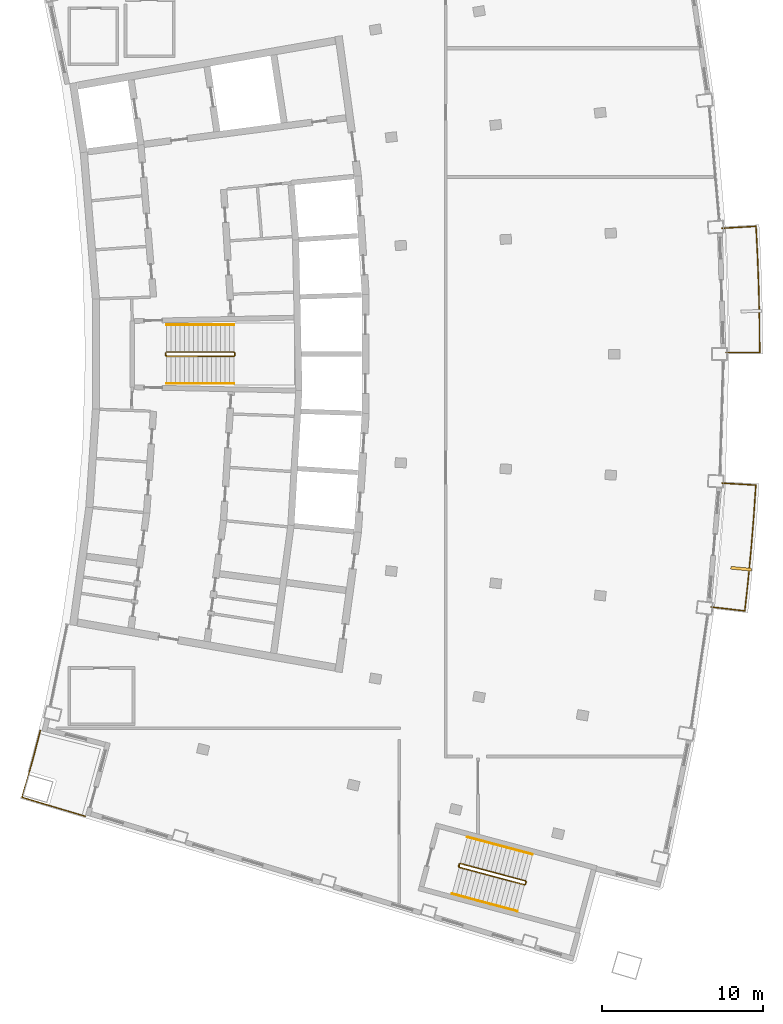
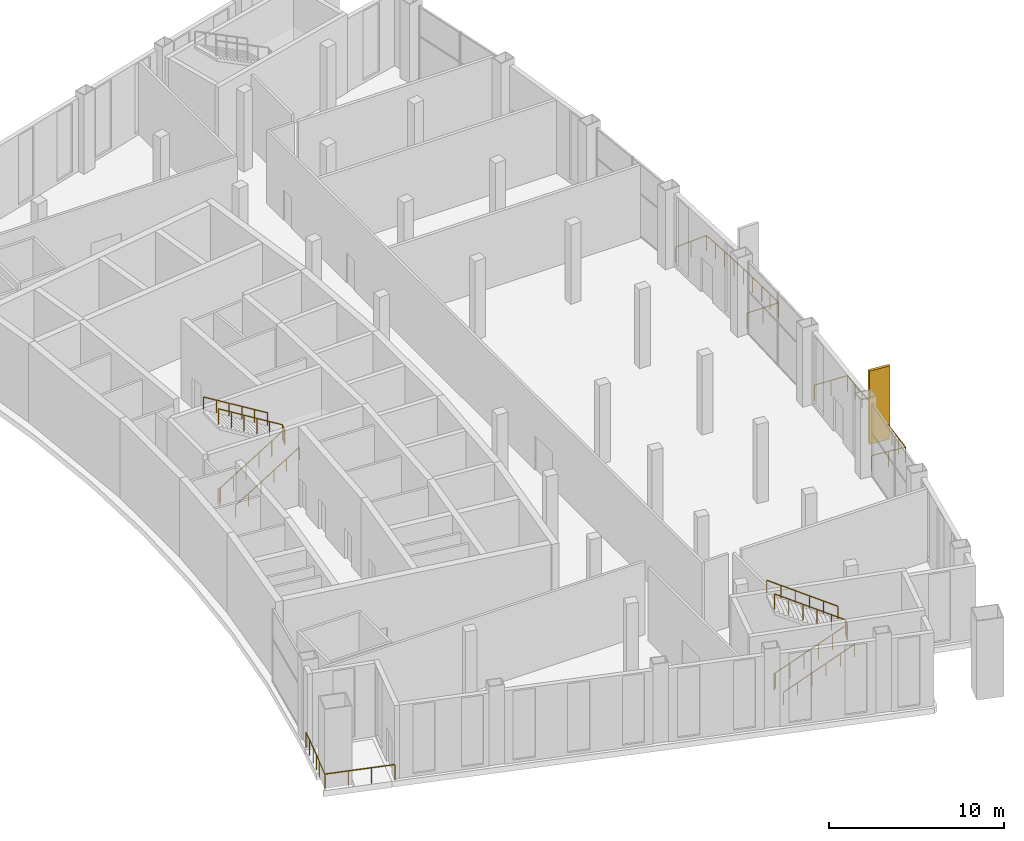
# One storey, part 12 of 13: 9 railings, 1 shading device.
"""IFC4 building model written with IfcOpenShell, lengths in metres."""

from ifc_helpers import new_model, si_unit, direction, frame, origin, origin_with_axes, origin_2d, place, context, subcontext, project, spatial, rectangle, extrude, material, layer, layer_set, type_object, element, save


model = new_model("IFC4")

# Units and contexts
model_context = context("Model", 3, precision=1e-05, world=origin(), true_north=direction((0.0, 1.0)))
body_context = subcontext(model_context, "Body", "Model", "MODEL_VIEW")
ifc_project = project(units=[si_unit("LENGTHUNIT", "METRE"), si_unit("AREAUNIT", "SQUARE_METRE"), si_unit("VOLUMEUNIT", "CUBIC_METRE"), si_unit("PLANEANGLEUNIT", "RADIAN"), si_unit("MASSUNIT", "GRAM", prefix="KILO")], contexts=[model_context])

# Site, building, storey
site_placement = place(None, origin())
site = spatial("IfcSite", under=ifc_project, at=site_placement, CompositionType="ELEMENT")
building_placement = place(site_placement, origin())
building = spatial("IfcBuilding", under=site, at=building_placement, Name="Alderwake Tower", CompositionType="ELEMENT")
storey_placement = place(building_placement, frame((0.0, 0.0, 304.5)))
storey = spatial("IfcBuildingStorey", under=building, at=storey_placement, Name="L74", CompositionType="ELEMENT", Elevation=304.5)

# Railings
ifc_material_1 = material(Name="Stainless steel 316 rail and posts", Category="steel")
railing_type_1 = type_object("IfcRailingType", Name="Balcony guard 1100", PredefinedType="GUARDRAIL", material=ifc_material_1)
railing_1_placement = place(storey_placement, frame((54.88818359375, 45.290283203125, 0.0)))
element("IfcRailing", 1, at=railing_1_placement, inside=storey, type_object=railing_type_1, Name="Guard BF05", PredefinedType="GUARDRAIL", context=body_context, shape_type="SweptSolid", body=[
    extrude(rectangle(XDim=0.048095703125, YDim=0.048095703125, at=origin_2d()), frame((0.0, 0.0, 1.076171875), z_axis=(0.993300554512, -0.115559544848, 0.0), x_axis=(0.115559544848, 0.993300554512, 0.0)), (0.0, 0.0, 1.0), 2.10009765625),
    extrude(rectangle(XDim=0.048095703125, YDim=0.048095703125, at=origin_2d()), frame((2.0859375, -0.24267578125, 1.076171875), z_axis=(0.108860741954, 0.994057009865, 0.0), x_axis=(-0.994057009865, 0.108860741954, 0.0)), (0.0, 0.0, 1.0), 1.910888671875),
    extrude(rectangle(XDim=0.048095703125, YDim=0.048095703125, at=origin_2d()), frame((2.2939453125, 1.65673828125, 1.076171875), z_axis=(0.094562763622, 0.995518901747, 0.0), x_axis=(-0.995518901747, 0.094562763622, 0.0)), (0.0, 0.0, 1.0), 2.01123046875),
    extrude(rectangle(XDim=0.048095703125, YDim=0.048095703125, at=origin_2d()), frame((2.484130859375, 3.658935546875, 1.076171875), z_axis=(0.080251890479, 0.996774615485, 0.0), x_axis=(-0.996774615485, 0.080251890479, 0.0)), (0.0, 0.0, 1.0), 2.010986328125),
    extrude(rectangle(XDim=0.048095703125, YDim=0.048095703125, at=origin_2d()), frame((2.6455078125, 5.663330078125, 1.076171875), z_axis=(0.065917008858, 0.997825108896, 0.0), x_axis=(-0.997825108896, 0.065917008858, 0.0)), (0.0, 0.0, 1.0), 1.9111328125),
    extrude(rectangle(XDim=0.048095703125, YDim=0.048095703125, at=origin_2d()), frame((2.771484375, 7.5703125, 1.076171875), z_axis=(-0.998254674771, 0.059055942097, 0.0), x_axis=(-0.059055942097, -0.998254674771, 0.0)), (0.0, 0.0, 1.0), 2.10009765625),
    extrude(rectangle(XDim=0.0419921875, YDim=0.0419921875, at=origin_2d()), frame((0.0, 0.0, 0.0), z_axis=(0.0, 0.0, 1.0), x_axis=(0.993300554512, -0.115559544848, 0.0)), (0.0, 0.0, 1.0), 1.052001953125),
    extrude(rectangle(XDim=0.0419921875, YDim=0.0419921875, at=origin_2d()), frame((1.04296875, -0.121337890625, 0.0), z_axis=(0.0, 0.0, 1.0), x_axis=(0.993300554512, -0.115559544848, 0.0)), (0.0, 0.0, 1.0), 1.052001953125),
    extrude(rectangle(XDim=0.0419921875, YDim=0.0419921875, at=origin_2d()), frame((2.0859375, -0.24267578125, 0.0), z_axis=(0.0, 0.0, 1.0), x_axis=(0.108860741954, 0.994057009865, 0.0)), (0.0, 0.0, 1.0), 1.052001953125),
    extrude(rectangle(XDim=0.0419921875, YDim=0.0419921875, at=origin_2d()), frame((2.18994140625, 0.70703125, 0.0), z_axis=(0.0, 0.0, 1.0), x_axis=(0.108860741954, 0.994057009865, 0.0)), (0.0, 0.0, 1.0), 1.052001953125),
    extrude(rectangle(XDim=0.0419921875, YDim=0.0419921875, at=origin_2d()), frame((2.2939453125, 1.65673828125, 0.0), z_axis=(0.0, 0.0, 1.0), x_axis=(0.094562763622, 0.995518901747, 0.0)), (0.0, 0.0, 1.0), 1.052001953125),
    extrude(rectangle(XDim=0.0419921875, YDim=0.0419921875, at=origin_2d()), frame((2.38916015625, 2.65771484375, 0.0), z_axis=(0.0, 0.0, 1.0), x_axis=(0.094562763622, 0.995518901747, 0.0)), (0.0, 0.0, 1.0), 1.052001953125),
    extrude(rectangle(XDim=0.0419921875, YDim=0.0419921875, at=origin_2d()), frame((2.484130859375, 3.658935546875, 0.0), z_axis=(0.0, 0.0, 1.0), x_axis=(0.080251890479, 0.996774615485, 0.0)), (0.0, 0.0, 1.0), 1.052001953125),
    extrude(rectangle(XDim=0.0419921875, YDim=0.0419921875, at=origin_2d()), frame((2.56494140625, 4.6611328125, 0.0), z_axis=(0.0, 0.0, 1.0), x_axis=(0.080251890479, 0.996774615485, 0.0)), (0.0, 0.0, 1.0), 1.052001953125),
    extrude(rectangle(XDim=0.0419921875, YDim=0.0419921875, at=origin_2d()), frame((2.6455078125, 5.663330078125, 0.0), z_axis=(0.0, 0.0, 1.0), x_axis=(0.065917008858, 0.997825108896, 0.0)), (0.0, 0.0, 1.0), 1.052001953125),
    extrude(rectangle(XDim=0.0419921875, YDim=0.0419921875, at=origin_2d()), frame((2.70849609375, 6.61669921875, 0.0), z_axis=(0.0, 0.0, 1.0), x_axis=(0.065917008858, 0.997825108896, 0.0)), (0.0, 0.0, 1.0), 1.052001953125),
    extrude(rectangle(XDim=0.0419921875, YDim=0.0419921875, at=origin_2d()), frame((2.771484375, 7.5703125, 0.0), z_axis=(0.0, 0.0, 1.0), x_axis=(-0.998254674771, 0.059055942097, 0.0)), (0.0, 0.0, 1.0), 1.052001953125),
    extrude(rectangle(XDim=0.0419921875, YDim=0.0419921875, at=origin_2d()), frame((1.72314453125, 7.63232421875, 0.0), z_axis=(0.0, 0.0, 1.0), x_axis=(-0.998254674771, 0.059055942097, 0.0)), (0.0, 0.0, 1.0), 1.052001953125),
    extrude(rectangle(XDim=0.0419921875, YDim=0.0419921875, at=origin_2d()), frame((0.675048828125, 7.6943359375, 0.0), z_axis=(0.0, 0.0, 1.0), x_axis=(-0.998254674771, 0.059055942097, 0.0)), (0.0, 0.0, 1.0), 1.052001953125),
])
railing_2_placement = place(storey_placement, frame((55.800048828125, 61.098388671875, 0.0)))
element("IfcRailing", 2, at=railing_2_placement, inside=storey, type_object=railing_type_1, Name="Guard BF07", PredefinedType="GUARDRAIL", context=body_context, shape_type="SweptSolid", body=[
    extrude(rectangle(XDim=0.048095703125, YDim=0.048095703125, at=origin_2d()), frame((0.0, 0.0, 1.076171875), z_axis=(0.999999668817, 0.000813858584, 0.0), x_axis=(-0.000813858584, 0.999999668817, 0.0)), (0.0, 0.0, 1.0), 2.099853515625),
    extrude(rectangle(XDim=0.048095703125, YDim=0.048095703125, at=origin_2d()), frame((2.099853515625, 0.001708984375, 1.076171875), z_axis=(-0.007665547101, 0.999970619262, 0.0), x_axis=(-0.999970619262, -0.007665547101, 0.0)), (0.0, 0.0, 1.0), 1.910888671875),
    extrude(rectangle(XDim=0.048095703125, YDim=0.048095703125, at=origin_2d()), frame((2.085205078125, 1.91259765625, 1.076171875), z_axis=(-0.02185270385, 0.999761201155, 0.0), x_axis=(-0.999761201155, -0.02185270385, 0.0)), (0.0, 0.0, 1.0), 2.010986328125),
    extrude(rectangle(XDim=0.048095703125, YDim=0.048095703125, at=origin_2d()), frame((2.041259765625, 3.923095703125, 1.076171875), z_axis=(-0.036418972637, 0.999336609172, 0.0), x_axis=(-0.999336609172, -0.036418972637, 0.0)), (0.0, 0.0, 1.0), 2.010986328125),
    extrude(rectangle(XDim=0.048095703125, YDim=0.048095703125, at=origin_2d()), frame((1.968017578125, 5.932861328125, 1.076171875), z_axis=(-0.050721376297, 0.998712842606, 0.0), x_axis=(-0.998712842606, -0.050721376297, 0.0)), (0.0, 0.0, 1.0), 1.910888671875),
    extrude(rectangle(XDim=0.048095703125, YDim=0.048095703125, at=origin_2d()), frame((1.87109375, 7.84130859375, 1.076171875), z_axis=(-0.998342640362, -0.057549738789, 0.0), x_axis=(0.057549738789, -0.998342640362, 0.0)), (0.0, 0.0, 1.0), 2.099853515625),
    extrude(rectangle(XDim=0.0419921875, YDim=0.0419921875, at=origin_2d()), frame((0.0, 0.0, 0.0), z_axis=(0.0, 0.0, 1.0), x_axis=(0.999999668817, 0.000813858584, 0.0)), (0.0, 0.0, 1.0), 1.052001953125),
    extrude(rectangle(XDim=0.0419921875, YDim=0.0419921875, at=origin_2d()), frame((1.0498046875, 0.0009765625, 0.0), z_axis=(0.0, 0.0, 1.0), x_axis=(0.999999668817, 0.000813858584, 0.0)), (0.0, 0.0, 1.0), 1.052001953125),
    extrude(rectangle(XDim=0.0419921875, YDim=0.0419921875, at=origin_2d()), frame((2.099853515625, 0.001708984375, 0.0), z_axis=(0.0, 0.0, 1.0), x_axis=(-0.007665547101, 0.999970619262, 0.0)), (0.0, 0.0, 1.0), 1.052001953125),
    extrude(rectangle(XDim=0.0419921875, YDim=0.0419921875, at=origin_2d()), frame((2.092529296875, 0.95703125, 0.0), z_axis=(0.0, 0.0, 1.0), x_axis=(-0.007665547101, 0.999970619262, 0.0)), (0.0, 0.0, 1.0), 1.052001953125),
    extrude(rectangle(XDim=0.0419921875, YDim=0.0419921875, at=origin_2d()), frame((2.085205078125, 1.91259765625, 0.0), z_axis=(0.0, 0.0, 1.0), x_axis=(-0.02185270385, 0.999761201155, 0.0)), (0.0, 0.0, 1.0), 1.052001953125),
    extrude(rectangle(XDim=0.0419921875, YDim=0.0419921875, at=origin_2d()), frame((2.063232421875, 2.91796875, 0.0), z_axis=(0.0, 0.0, 1.0), x_axis=(-0.02185270385, 0.999761201155, 0.0)), (0.0, 0.0, 1.0), 1.052001953125),
    extrude(rectangle(XDim=0.0419921875, YDim=0.0419921875, at=origin_2d()), frame((2.041259765625, 3.923095703125, 0.0), z_axis=(0.0, 0.0, 1.0), x_axis=(-0.036418972637, 0.999336609172, 0.0)), (0.0, 0.0, 1.0), 1.052001953125),
    extrude(rectangle(XDim=0.0419921875, YDim=0.0419921875, at=origin_2d()), frame((2.004638671875, 4.927978515625, 0.0), z_axis=(0.0, 0.0, 1.0), x_axis=(-0.036418972637, 0.999336609172, 0.0)), (0.0, 0.0, 1.0), 1.052001953125),
    extrude(rectangle(XDim=0.0419921875, YDim=0.0419921875, at=origin_2d()), frame((1.968017578125, 5.932861328125, 0.0), z_axis=(0.0, 0.0, 1.0), x_axis=(-0.050721376297, 0.998712842606, 0.0)), (0.0, 0.0, 1.0), 1.052001953125),
    extrude(rectangle(XDim=0.0419921875, YDim=0.0419921875, at=origin_2d()), frame((1.91943359375, 6.88720703125, 0.0), z_axis=(0.0, 0.0, 1.0), x_axis=(-0.050721376297, 0.998712842606, 0.0)), (0.0, 0.0, 1.0), 1.052001953125),
    extrude(rectangle(XDim=0.0419921875, YDim=0.0419921875, at=origin_2d()), frame((1.87109375, 7.84130859375, 0.0), z_axis=(0.0, 0.0, 1.0), x_axis=(-0.998342640362, -0.057549738789, 0.0)), (0.0, 0.0, 1.0), 1.052001953125),
    extrude(rectangle(XDim=0.0419921875, YDim=0.0419921875, at=origin_2d()), frame((0.82275390625, 7.78076171875, 0.0), z_axis=(0.0, 0.0, 1.0), x_axis=(-0.998342640362, -0.057549738789, 0.0)), (0.0, 0.0, 1.0), 1.052001953125),
    extrude(rectangle(XDim=0.0419921875, YDim=0.0419921875, at=origin_2d()), frame((-0.225341796875, 7.720458984375, 0.0), z_axis=(0.0, 0.0, 1.0), x_axis=(-0.998342640362, -0.057549738789, 0.0)), (0.0, 0.0, 1.0), 1.052001953125),
])
railing_3_placement = place(storey_placement, frame((13.210693359375, 37.612548828125, 0.0)))
element("IfcRailing", 3, at=railing_3_placement, inside=storey, type_object=railing_type_1, Name="Guard terrace RS", PredefinedType="GUARDRAIL", context=body_context, shape_type="SweptSolid", body=[
    extrude(rectangle(XDim=0.048095703125, YDim=0.048095703125, at=origin_2d()), frame((0.0, 0.0, 1.076171875), z_axis=(-0.251385381433, -0.967887075026, 0.0), x_axis=(0.967887075026, -0.251385381433, 0.0)), (0.0, 0.0, 1.0), 1.6015625),
    extrude(rectangle(XDim=0.048095703125, YDim=0.048095703125, at=origin_2d()), frame((-0.402587890625, -1.550048828125, 1.076171875), z_axis=(-0.266520638672, -0.963829211615, 0.0), x_axis=(0.963829211615, -0.266520638672, 0.0)), (0.0, 0.0, 1.0), 1.401611328125),
    extrude(rectangle(XDim=0.048095703125, YDim=0.048095703125, at=origin_2d()), frame((-0.776123046875, -2.90087890625, 1.076171875), z_axis=(-0.280093650878, -0.959972680204, 0.0), x_axis=(0.959972680204, -0.280093650878, 0.0)), (0.0, 0.0, 1.0), 1.30126953125),
    extrude(rectangle(XDim=0.048095703125, YDim=0.048095703125, at=origin_2d()), frame((-1.140625, -4.150146484375, 1.076171875), z_axis=(0.958066871889, -0.286544706789, 0.0), x_axis=(0.286544706789, 0.958066871889, 0.0)), (0.0, 0.0, 1.0), 4.099853515625),
    extrude(rectangle(XDim=0.0419921875, YDim=0.0419921875, at=origin_2d()), frame((0.0, 0.0, 0.0), z_axis=(0.0, 0.0, 1.0), x_axis=(-0.251385381433, -0.967887075026, 0.0)), (0.0, 0.0, 1.0), 1.052001953125),
    extrude(rectangle(XDim=0.0419921875, YDim=0.0419921875, at=origin_2d()), frame((-0.201171875, -0.77490234375, 0.0), z_axis=(0.0, 0.0, 1.0), x_axis=(-0.251385381433, -0.967887075026, 0.0)), (0.0, 0.0, 1.0), 1.052001953125),
    extrude(rectangle(XDim=0.0419921875, YDim=0.0419921875, at=origin_2d()), frame((-0.402587890625, -1.550048828125, 0.0), z_axis=(0.0, 0.0, 1.0), x_axis=(-0.266520638672, -0.963829211615, 0.0)), (0.0, 0.0, 1.0), 1.052001953125),
    extrude(rectangle(XDim=0.0419921875, YDim=0.0419921875, at=origin_2d()), frame((-0.58935546875, -2.2255859375, 0.0), z_axis=(0.0, 0.0, 1.0), x_axis=(-0.266520638672, -0.963829211615, 0.0)), (0.0, 0.0, 1.0), 1.052001953125),
    extrude(rectangle(XDim=0.0419921875, YDim=0.0419921875, at=origin_2d()), frame((-0.776123046875, -2.90087890625, 0.0), z_axis=(0.0, 0.0, 1.0), x_axis=(-0.280093650878, -0.959972680204, 0.0)), (0.0, 0.0, 1.0), 1.052001953125),
    extrude(rectangle(XDim=0.0419921875, YDim=0.0419921875, at=origin_2d()), frame((-1.140625, -4.150146484375, 0.0), z_axis=(0.0, 0.0, 1.0), x_axis=(0.958066871889, -0.286544706789, 0.0)), (0.0, 0.0, 1.0), 1.052001953125),
    extrude(rectangle(XDim=0.0419921875, YDim=0.0419921875, at=origin_2d()), frame((0.168701171875, -4.541748046875, 0.0), z_axis=(0.0, 0.0, 1.0), x_axis=(0.958066871889, -0.286544706789, 0.0)), (0.0, 0.0, 1.0), 1.052001953125),
    extrude(rectangle(XDim=0.0419921875, YDim=0.0419921875, at=origin_2d()), frame((1.47802734375, -4.933349609375, 0.0), z_axis=(0.0, 0.0, 1.0), x_axis=(0.958066871889, -0.286544706789, 0.0)), (0.0, 0.0, 1.0), 1.052001953125),
    extrude(rectangle(XDim=0.0419921875, YDim=0.0419921875, at=origin_2d()), frame((2.787353515625, -5.324951171875, 0.0), z_axis=(0.0, 0.0, 1.0), x_axis=(0.958066871889, -0.286544706789, 0.0)), (0.0, 0.0, 1.0), 1.052001953125),
])

# Shading device
ifc_material_2 = material(Name="Bronze anodised aluminium", Category="aluminium")
ifc_layer = layer(ifc_material_2, 0.179931640625)
ifc_layer_set = layer_set([ifc_layer], Name="Facade fin 1300")
shading_device_type = type_object("IfcShadingDeviceType", Name="Facade fin 1300", PredefinedType="USERDEFINED", material=ifc_layer_set)
shading_device_placement = place(storey_placement, frame((56.75146484375, 47.665771484375, 0.0), z_axis=(0.0, 0.0, 1.0), x_axis=(0.995279882363, -0.097046152751, 0.0)))
element("IfcShadingDevice", 4, at=shading_device_placement, inside=storey, type_object=shading_device_type, Name="Fin", ObjectType="FIN", PredefinedType="USERDEFINED", context=body_context, shape_type="SweptSolid", body=[
    extrude(rectangle(XDim=1.300048828125, YDim=0.179931640625, at=origin_2d()), origin(), (0.0, 0.0, 1.0), 5.10009765625),
])

# Railings
ifc_material_3 = material(Name="Stainless steel guard", Category="steel")
railing_type_2 = type_object("IfcRailingType", Name="Stair guard 1100", PredefinedType="GUARDRAIL", material=ifc_material_3)
railing_4_placement = place(storey_placement, frame((20.989990234375, 60.925048828125, 0.0)))
element("IfcRailing", 5, at=railing_4_placement, inside=storey, type_object=railing_type_2, Name="L74 ST-B stair guard 1", PredefinedType="GUARDRAIL", context=body_context, shape_type="SweptSolid", body=[
    extrude(rectangle(XDim=0.048095703125, YDim=0.048095703125, at=origin_2d()), frame((0.0, 0.0, 1.076171875), z_axis=(0.0, 1.0, 0.0), x_axis=(-1.0, 0.0, 0.0)), (0.0, 0.0, 1.0), 0.14990234375),
    extrude(rectangle(XDim=0.048095703125, YDim=0.048095703125, at=origin_2d()), frame((0.0, 0.14990234375, 1.076171875), z_axis=(0.186486819998, -0.745037588186, 0.640423030626), x_axis=(0.970072785993, 0.242814311512, 0.0)), (0.0, 0.0, 1.0), 0.268310546875),
    extrude(rectangle(XDim=0.048095703125, YDim=0.048095703125, at=origin_2d()), frame((0.050048828125, -0.050048828125, 1.248046875), z_axis=(0.852242915053, 0.0, 0.523146264196), x_axis=(0.0, 1.0, 0.0)), (0.0, 0.0, 1.0), 4.92822265625),
    extrude(rectangle(XDim=0.048095703125, YDim=0.048095703125, at=origin_2d()), frame((4.25, -0.050048828125, 3.826171875), z_axis=(0.707106781187, 0.707106781187, 0.0), x_axis=(-0.707106781187, 0.707106781187, 0.0)), (0.0, 0.0, 1.0), 0.07080078125),
    extrude(rectangle(XDim=0.048095703125, YDim=0.048095703125, at=origin_2d()), frame((4.300048828125, 0.0, 3.826171875), z_axis=(0.0, 1.0, 0.0), x_axis=(-1.0, 0.0, 0.0)), (0.0, 0.0, 1.0), 0.14990234375),
    extrude(rectangle(XDim=0.048095703125, YDim=0.048095703125, at=origin_2d()), frame((4.300048828125, 0.14990234375, 3.826171875), z_axis=(-0.269255725606, 0.269255725606, 0.92466356501), x_axis=(-0.707106781187, -0.707106781187, 0.0)), (0.0, 0.0, 1.0), 0.185791015625),
    extrude(rectangle(XDim=0.048095703125, YDim=0.048095703125, at=origin_2d()), frame((4.25, 0.199951171875, 3.998046875), z_axis=(-0.852242915053, 0.0, 0.523146264196), x_axis=(0.0, -1.0, 0.0)), (0.0, 0.0, 1.0), 4.92822265625),
    extrude(rectangle(XDim=0.0419921875, YDim=0.0419921875, at=origin_2d()), frame((0.0, 0.0, 0.0), z_axis=(0.0, 0.0, 1.0), x_axis=(0.0, 1.0, 0.0)), (0.0, 0.0, 1.0), 1.052001953125),
    extrude(rectangle(XDim=0.0419921875, YDim=0.0419921875, at=origin_2d()), frame((0.0, 0.14990234375, 0.0), z_axis=(0.0, 0.0, 1.0), x_axis=(0.242814311512, -0.970072785993, 0.0)), (0.0, 0.0, 1.0), 1.052001953125),
    extrude(rectangle(XDim=0.0419921875, YDim=0.0419921875, at=origin_2d()), frame((0.050048828125, -0.050048828125, 0.171875), z_axis=(0.0, 0.0, 1.0), x_axis=(1.0, 0.0, 0.0)), (0.0, 0.0, 1.0), 1.052001953125),
    extrude(rectangle(XDim=0.0419921875, YDim=0.0419921875, at=origin_2d()), frame((0.89013671875, -0.050048828125, 0.6875), z_axis=(0.0, 0.0, 1.0), x_axis=(1.0, 0.0, 0.0)), (0.0, 0.0, 1.0), 1.052001953125),
    extrude(rectangle(XDim=0.0419921875, YDim=0.0419921875, at=origin_2d()), frame((1.72998046875, -0.050048828125, 1.203125), z_axis=(0.0, 0.0, 1.0), x_axis=(1.0, 0.0, 0.0)), (0.0, 0.0, 1.0), 1.052001953125),
    extrude(rectangle(XDim=0.0419921875, YDim=0.0419921875, at=origin_2d()), frame((2.570068359375, -0.050048828125, 1.71875), z_axis=(0.0, 0.0, 1.0), x_axis=(1.0, 0.0, 0.0)), (0.0, 0.0, 1.0), 1.052001953125),
    extrude(rectangle(XDim=0.0419921875, YDim=0.0419921875, at=origin_2d()), frame((3.409912109375, -0.050048828125, 2.234375), z_axis=(0.0, 0.0, 1.0), x_axis=(1.0, 0.0, 0.0)), (0.0, 0.0, 1.0), 1.052001953125),
    extrude(rectangle(XDim=0.0419921875, YDim=0.0419921875, at=origin_2d()), frame((4.25, -0.050048828125, 2.75), z_axis=(0.0, 0.0, 1.0), x_axis=(0.707106781187, 0.707106781187, 0.0)), (0.0, 0.0, 1.0), 1.052001953125),
    extrude(rectangle(XDim=0.0419921875, YDim=0.0419921875, at=origin_2d()), frame((4.300048828125, 0.0, 2.75), z_axis=(0.0, 0.0, 1.0), x_axis=(0.0, 1.0, 0.0)), (0.0, 0.0, 1.0), 1.052001953125),
    extrude(rectangle(XDim=0.0419921875, YDim=0.0419921875, at=origin_2d()), frame((4.300048828125, 0.14990234375, 2.75), z_axis=(0.0, 0.0, 1.0), x_axis=(-0.707106781187, 0.707106781187, 0.0)), (0.0, 0.0, 1.0), 1.052001953125),
    extrude(rectangle(XDim=0.0419921875, YDim=0.0419921875, at=origin_2d()), frame((4.25, 0.199951171875, 2.921875), z_axis=(0.0, 0.0, 1.0), x_axis=(-1.0, 0.0, 0.0)), (0.0, 0.0, 1.0), 1.052001953125),
    extrude(rectangle(XDim=0.0419921875, YDim=0.0419921875, at=origin_2d()), frame((3.409912109375, 0.199951171875, 3.4375), z_axis=(0.0, 0.0, 1.0), x_axis=(-1.0, 0.0, 0.0)), (0.0, 0.0, 1.0), 1.052001953125),
    extrude(rectangle(XDim=0.0419921875, YDim=0.0419921875, at=origin_2d()), frame((2.570068359375, 0.199951171875, 3.953125), z_axis=(0.0, 0.0, 1.0), x_axis=(-1.0, 0.0, 0.0)), (0.0, 0.0, 1.0), 1.052001953125),
    extrude(rectangle(XDim=0.0419921875, YDim=0.0419921875, at=origin_2d()), frame((1.72998046875, 0.199951171875, 4.46875), z_axis=(0.0, 0.0, 1.0), x_axis=(-1.0, 0.0, 0.0)), (0.0, 0.0, 1.0), 1.052001953125),
    extrude(rectangle(XDim=0.0419921875, YDim=0.0419921875, at=origin_2d()), frame((0.89013671875, 0.199951171875, 4.984375), z_axis=(0.0, 0.0, 1.0), x_axis=(-1.0, 0.0, 0.0)), (0.0, 0.0, 1.0), 1.052001953125),
    extrude(rectangle(XDim=0.0419921875, YDim=0.0419921875, at=origin_2d()), frame((0.050048828125, 0.199951171875, 5.5), z_axis=(0.0, 0.0, 1.0), x_axis=(-1.0, 0.0, 0.0)), (0.0, 0.0, 1.0), 1.052001953125),
])
railing_5_placement = place(storey_placement, frame((39.1943359375, 29.17431640625, 0.0)))
element("IfcRailing", 6, at=railing_5_placement, inside=storey, type_object=railing_type_2, Name="L74 ST-C stair guard 1", PredefinedType="GUARDRAIL", context=body_context, shape_type="SweptSolid", body=[
    extrude(rectangle(XDim=0.048095703125, YDim=0.048095703125, at=origin_2d()), frame((0.0, 0.0, 1.076171875), z_axis=(0.257459803502, 0.966289009345, 0.0), x_axis=(-0.966289009345, 0.257459803502, 0.0)), (0.0, 0.0, 1.0), 0.14990234375),
    extrude(rectangle(XDim=0.048095703125, YDim=0.048095703125, at=origin_2d()), frame((0.03857421875, 0.144775390625, 1.076171875), z_axis=(-0.011827368703, -0.767869168075, 0.640497505124), x_axis=(0.999881397308, -0.015401016783, 0.0)), (0.0, 0.0, 1.0), 0.268310546875),
    extrude(rectangle(XDim=0.048095703125, YDim=0.048095703125, at=origin_2d()), frame((0.035400390625, -0.061279296875, 1.248046875), z_axis=(0.823537466516, -0.219358993126, 0.523132558133), x_axis=(0.257387681119, 0.966308222881, 0.0)), (0.0, 0.0, 1.0), 4.92822265625),
    extrude(rectangle(XDim=0.048095703125, YDim=0.048095703125, at=origin_2d()), frame((4.093994140625, -1.142333984375, 3.826171875), z_axis=(0.865031189262, 0.501718089772, 0.0), x_axis=(-0.501718089772, 0.865031189262, 0.0)), (0.0, 0.0, 1.0), 0.070556640625),
    extrude(rectangle(XDim=0.048095703125, YDim=0.048095703125, at=origin_2d()), frame((4.155029296875, -1.10693359375, 3.826171875), z_axis=(0.258573505099, 0.965991585088, 0.0), x_axis=(-0.965991585088, 0.258573505099, 0.0)), (0.0, 0.0, 1.0), 0.150146484375),
    extrude(rectangle(XDim=0.048095703125, YDim=0.048095703125, at=origin_2d()), frame((4.19384765625, -0.9619140625, 3.826171875), z_axis=(-0.191718465689, 0.329598184164, 0.924450683871), x_axis=(-0.864402767194, -0.502800015978, 0.0)), (0.0, 0.0, 1.0), 0.18603515625),
    extrude(rectangle(XDim=0.048095703125, YDim=0.048095703125, at=origin_2d()), frame((4.158203125, -0.900634765625, 3.998046875), z_axis=(-0.82352152456, 0.219367942655, 0.523153901182), x_axis=(-0.257402139082, -0.966304371715, 0.0)), (0.0, 0.0, 1.0), 4.927978515625),
    extrude(rectangle(XDim=0.0419921875, YDim=0.0419921875, at=origin_2d()), frame((0.0, 0.0, 0.0), z_axis=(0.0, 0.0, 1.0), x_axis=(0.257459803502, 0.966289009345, 0.0)), (0.0, 0.0, 1.0), 1.052001953125),
    extrude(rectangle(XDim=0.0419921875, YDim=0.0419921875, at=origin_2d()), frame((0.03857421875, 0.144775390625, 0.0), z_axis=(0.0, 0.0, 1.0), x_axis=(-0.015401016783, -0.999881397308, 0.0)), (0.0, 0.0, 1.0), 1.052001953125),
    extrude(rectangle(XDim=0.0419921875, YDim=0.0419921875, at=origin_2d()), frame((0.035400390625, -0.061279296875, 0.171875), z_axis=(0.0, 0.0, 1.0), x_axis=(0.966308222881, -0.257387681119, 0.0)), (0.0, 0.0, 1.0), 1.052001953125),
    extrude(rectangle(XDim=0.0419921875, YDim=0.0419921875, at=origin_2d()), frame((0.84716796875, -0.277587890625, 0.6875), z_axis=(0.0, 0.0, 1.0), x_axis=(0.966308222881, -0.257387681119, 0.0)), (0.0, 0.0, 1.0), 1.052001953125),
    extrude(rectangle(XDim=0.0419921875, YDim=0.0419921875, at=origin_2d()), frame((1.658935546875, -0.49365234375, 1.203125), z_axis=(0.0, 0.0, 1.0), x_axis=(0.966308222881, -0.257387681119, 0.0)), (0.0, 0.0, 1.0), 1.052001953125),
    extrude(rectangle(XDim=0.0419921875, YDim=0.0419921875, at=origin_2d()), frame((2.470458984375, -0.7099609375, 1.71875), z_axis=(0.0, 0.0, 1.0), x_axis=(0.966308222881, -0.257387681119, 0.0)), (0.0, 0.0, 1.0), 1.052001953125),
    extrude(rectangle(XDim=0.0419921875, YDim=0.0419921875, at=origin_2d()), frame((3.2822265625, -0.926025390625, 2.234375), z_axis=(0.0, 0.0, 1.0), x_axis=(0.966308222881, -0.257387681119, 0.0)), (0.0, 0.0, 1.0), 1.052001953125),
    extrude(rectangle(XDim=0.0419921875, YDim=0.0419921875, at=origin_2d()), frame((4.093994140625, -1.142333984375, 2.75), z_axis=(0.0, 0.0, 1.0), x_axis=(0.865031189262, 0.501718089772, 0.0)), (0.0, 0.0, 1.0), 1.052001953125),
    extrude(rectangle(XDim=0.0419921875, YDim=0.0419921875, at=origin_2d()), frame((4.155029296875, -1.10693359375, 2.75), z_axis=(0.0, 0.0, 1.0), x_axis=(0.258573505099, 0.965991585088, 0.0)), (0.0, 0.0, 1.0), 1.052001953125),
    extrude(rectangle(XDim=0.0419921875, YDim=0.0419921875, at=origin_2d()), frame((4.19384765625, -0.9619140625, 2.75), z_axis=(0.0, 0.0, 1.0), x_axis=(-0.502800015978, 0.864402767194, 0.0)), (0.0, 0.0, 1.0), 1.052001953125),
    extrude(rectangle(XDim=0.0419921875, YDim=0.0419921875, at=origin_2d()), frame((4.158203125, -0.900634765625, 2.921875), z_axis=(0.0, 0.0, 1.0), x_axis=(-0.966304371715, 0.257402139082, 0.0)), (0.0, 0.0, 1.0), 1.052001953125),
    extrude(rectangle(XDim=0.0419921875, YDim=0.0419921875, at=origin_2d()), frame((3.346435546875, -0.684326171875, 3.4375), z_axis=(0.0, 0.0, 1.0), x_axis=(-0.966304371715, 0.257402139082, 0.0)), (0.0, 0.0, 1.0), 1.052001953125),
    extrude(rectangle(XDim=0.0419921875, YDim=0.0419921875, at=origin_2d()), frame((2.534912109375, -0.46826171875, 3.953125), z_axis=(0.0, 0.0, 1.0), x_axis=(-0.966304371715, 0.257402139082, 0.0)), (0.0, 0.0, 1.0), 1.052001953125),
    extrude(rectangle(XDim=0.0419921875, YDim=0.0419921875, at=origin_2d()), frame((1.72314453125, -0.251953125, 4.46875), z_axis=(0.0, 0.0, 1.0), x_axis=(-0.966304371715, 0.257402139082, 0.0)), (0.0, 0.0, 1.0), 1.052001953125),
    extrude(rectangle(XDim=0.0419921875, YDim=0.0419921875, at=origin_2d()), frame((0.91162109375, -0.035888671875, 4.984375), z_axis=(0.0, 0.0, 1.0), x_axis=(-0.966304371715, 0.257402139082, 0.0)), (0.0, 0.0, 1.0), 1.052001953125),
    extrude(rectangle(XDim=0.0419921875, YDim=0.0419921875, at=origin_2d()), frame((0.099853515625, 0.180419921875, 5.5), z_axis=(0.0, 0.0, 1.0), x_axis=(-0.966304371715, 0.257402139082, 0.0)), (0.0, 0.0, 1.0), 1.052001953125),
])
ifc_material_4 = material(Name="Stainless steel handrail", Category="steel")
railing_type_3 = type_object("IfcRailingType", Name="Stair handrail 900", PredefinedType="HANDRAIL", material=ifc_material_4)
railing_6_placement = place(storey_placement, frame((21.0400390625, 59.175048828125, 0.171875)))
element("IfcRailing", 7, at=railing_6_placement, inside=storey, type_object=railing_type_3, Name="L74 ST-B stair handrail 1", PredefinedType="HANDRAIL", context=body_context, shape_type="SweptSolid", body=[
    extrude(rectangle(XDim=0.048095703125, YDim=0.048095703125, at=origin_2d()), frame((0.0, 0.0, 0.8759765625), z_axis=(0.852242915053, 0.0, 0.523146264196), x_axis=(0.0, 1.0, 0.0)), (0.0, 0.0, 1.0), 4.92822265625),
    extrude(rectangle(XDim=0.0419921875, YDim=0.0419921875, at=origin_2d()), origin_with_axes(), (0.0, 0.0, 1.0), 0.851806640625),
    extrude(rectangle(XDim=0.0419921875, YDim=0.0419921875, at=origin_2d()), frame((0.840087890625, 0.0, 0.515625), z_axis=(0.0, 0.0, 1.0), x_axis=(1.0, 0.0, 0.0)), (0.0, 0.0, 1.0), 0.851806640625),
    extrude(rectangle(XDim=0.0419921875, YDim=0.0419921875, at=origin_2d()), frame((1.679931640625, 0.0, 1.03125), z_axis=(0.0, 0.0, 1.0), x_axis=(1.0, 0.0, 0.0)), (0.0, 0.0, 1.0), 0.851806640625),
    extrude(rectangle(XDim=0.0419921875, YDim=0.0419921875, at=origin_2d()), frame((2.52001953125, 0.0, 1.546875), z_axis=(0.0, 0.0, 1.0), x_axis=(1.0, 0.0, 0.0)), (0.0, 0.0, 1.0), 0.851806640625),
    extrude(rectangle(XDim=0.0419921875, YDim=0.0419921875, at=origin_2d()), frame((3.35986328125, 0.0, 2.0625), z_axis=(0.0, 0.0, 1.0), x_axis=(1.0, 0.0, 0.0)), (0.0, 0.0, 1.0), 0.851806640625),
    extrude(rectangle(XDim=0.0419921875, YDim=0.0419921875, at=origin_2d()), frame((4.199951171875, 0.0, 2.578125), z_axis=(0.0, 0.0, 1.0), x_axis=(1.0, 0.0, 0.0)), (0.0, 0.0, 1.0), 0.851806640625),
])
railing_7_placement = place(storey_placement, frame((25.239990234375, 62.824951171875, 2.921875)))
element("IfcRailing", 8, at=railing_7_placement, inside=storey, type_object=railing_type_3, Name="L74 ST-B stair handrail 2", PredefinedType="HANDRAIL", context=body_context, shape_type="SweptSolid", body=[
    extrude(rectangle(XDim=0.048095703125, YDim=0.048095703125, at=origin_2d()), frame((0.0, 0.0, 0.8759765625), z_axis=(-0.852242915053, 0.0, 0.523146264196), x_axis=(0.0, -1.0, 0.0)), (0.0, 0.0, 1.0), 4.92822265625),
    extrude(rectangle(XDim=0.0419921875, YDim=0.0419921875, at=origin_2d()), frame((0.0, 0.0, 0.0), z_axis=(0.0, 0.0, 1.0), x_axis=(-1.0, 0.0, 0.0)), (0.0, 0.0, 1.0), 0.851806640625),
    extrude(rectangle(XDim=0.0419921875, YDim=0.0419921875, at=origin_2d()), frame((-0.840087890625, 0.0, 0.515625), z_axis=(0.0, 0.0, 1.0), x_axis=(-1.0, 0.0, 0.0)), (0.0, 0.0, 1.0), 0.851806640625),
    extrude(rectangle(XDim=0.0419921875, YDim=0.0419921875, at=origin_2d()), frame((-1.679931640625, 0.0, 1.03125), z_axis=(0.0, 0.0, 1.0), x_axis=(-1.0, 0.0, 0.0)), (0.0, 0.0, 1.0), 0.851806640625),
    extrude(rectangle(XDim=0.0419921875, YDim=0.0419921875, at=origin_2d()), frame((-2.52001953125, 0.0, 1.546875), z_axis=(0.0, 0.0, 1.0), x_axis=(-1.0, 0.0, 0.0)), (0.0, 0.0, 1.0), 0.851806640625),
    extrude(rectangle(XDim=0.0419921875, YDim=0.0419921875, at=origin_2d()), frame((-3.35986328125, 0.0, 2.0625), z_axis=(0.0, 0.0, 1.0), x_axis=(-1.0, 0.0, 0.0)), (0.0, 0.0, 1.0), 0.851806640625),
    extrude(rectangle(XDim=0.0419921875, YDim=0.0419921875, at=origin_2d()), frame((-4.199951171875, 0.0, 2.578125), z_axis=(0.0, 0.0, 1.0), x_axis=(-1.0, 0.0, 0.0)), (0.0, 0.0, 1.0), 0.851806640625),
])
railing_8_placement = place(storey_placement, frame((38.792236328125, 27.47021484375, 0.171875)))
element("IfcRailing", 9, at=railing_8_placement, inside=storey, type_object=railing_type_3, Name="L74 ST-C stair handrail 1", PredefinedType="HANDRAIL", context=body_context, shape_type="SweptSolid", body=[
    extrude(rectangle(XDim=0.048095703125, YDim=0.048095703125, at=origin_2d()), frame((0.0, 0.0, 0.8759765625), z_axis=(0.823546414901, -0.219311837029, 0.523138242382), x_axis=(0.257333403443, 0.966322678753, 0.0)), (0.0, 0.0, 1.0), 4.92822265625),
    extrude(rectangle(XDim=0.0419921875, YDim=0.0419921875, at=origin_2d()), frame((0.0, 0.0, 0.0), z_axis=(0.0, 0.0, 1.0), x_axis=(0.966322678753, -0.257333403443, 0.0)), (0.0, 0.0, 1.0), 0.851806640625),
    extrude(rectangle(XDim=0.0419921875, YDim=0.0419921875, at=origin_2d()), frame((0.811767578125, -0.216064453125, 0.515625), z_axis=(0.0, 0.0, 1.0), x_axis=(0.966322678753, -0.257333403443, 0.0)), (0.0, 0.0, 1.0), 0.851806640625),
    extrude(rectangle(XDim=0.0419921875, YDim=0.0419921875, at=origin_2d()), frame((1.62353515625, -0.432373046875, 1.03125), z_axis=(0.0, 0.0, 1.0), x_axis=(0.966322678753, -0.257333403443, 0.0)), (0.0, 0.0, 1.0), 0.851806640625),
    extrude(rectangle(XDim=0.0419921875, YDim=0.0419921875, at=origin_2d()), frame((2.43505859375, -0.6484375, 1.546875), z_axis=(0.0, 0.0, 1.0), x_axis=(0.966322678753, -0.257333403443, 0.0)), (0.0, 0.0, 1.0), 0.851806640625),
    extrude(rectangle(XDim=0.0419921875, YDim=0.0419921875, at=origin_2d()), frame((3.246826171875, -0.86474609375, 2.0625), z_axis=(0.0, 0.0, 1.0), x_axis=(0.966322678753, -0.257333403443, 0.0)), (0.0, 0.0, 1.0), 0.851806640625),
    extrude(rectangle(XDim=0.0419921875, YDim=0.0419921875, at=origin_2d()), frame((4.05859375, -1.080810546875, 2.578125), z_axis=(0.0, 0.0, 1.0), x_axis=(0.966322678753, -0.257333403443, 0.0)), (0.0, 0.0, 1.0), 0.851806640625),
])
railing_9_placement = place(storey_placement, frame((43.790283203125, 29.916259765625, 2.921875)))
element("IfcRailing", 10, at=railing_9_placement, inside=storey, type_object=railing_type_3, Name="L74 ST-C stair handrail 2", PredefinedType="HANDRAIL", context=body_context, shape_type="SweptSolid", body=[
    extrude(rectangle(XDim=0.048095703125, YDim=0.048095703125, at=origin_2d()), frame((0.0, 0.0, 0.8759765625), z_axis=(-0.823537466516, 0.219358993126, 0.523132558133), x_axis=(-0.257387681119, -0.966308222881, 0.0)), (0.0, 0.0, 1.0), 4.92822265625),
    extrude(rectangle(XDim=0.0419921875, YDim=0.0419921875, at=origin_2d()), frame((0.0, 0.0, 0.0), z_axis=(0.0, 0.0, 1.0), x_axis=(-0.966308222881, 0.257387681119, 0.0)), (0.0, 0.0, 1.0), 0.851806640625),
    extrude(rectangle(XDim=0.0419921875, YDim=0.0419921875, at=origin_2d()), frame((-0.811767578125, 0.21630859375, 0.515625), z_axis=(0.0, 0.0, 1.0), x_axis=(-0.966308222881, 0.257387681119, 0.0)), (0.0, 0.0, 1.0), 0.851806640625),
    extrude(rectangle(XDim=0.0419921875, YDim=0.0419921875, at=origin_2d()), frame((-1.62353515625, 0.432373046875, 1.03125), z_axis=(0.0, 0.0, 1.0), x_axis=(-0.966308222881, 0.257387681119, 0.0)), (0.0, 0.0, 1.0), 0.851806640625),
    extrude(rectangle(XDim=0.0419921875, YDim=0.0419921875, at=origin_2d()), frame((-2.43505859375, 0.648681640625, 1.546875), z_axis=(0.0, 0.0, 1.0), x_axis=(-0.966308222881, 0.257387681119, 0.0)), (0.0, 0.0, 1.0), 0.851806640625),
    extrude(rectangle(XDim=0.0419921875, YDim=0.0419921875, at=origin_2d()), frame((-3.246826171875, 0.86474609375, 2.0625), z_axis=(0.0, 0.0, 1.0), x_axis=(-0.966308222881, 0.257387681119, 0.0)), (0.0, 0.0, 1.0), 0.851806640625),
    extrude(rectangle(XDim=0.0419921875, YDim=0.0419921875, at=origin_2d()), frame((-4.05859375, 1.0810546875, 2.578125), z_axis=(0.0, 0.0, 1.0), x_axis=(-0.966308222881, 0.257387681119, 0.0)), (0.0, 0.0, 1.0), 0.851806640625),
])

save(model, "model.ifc")
